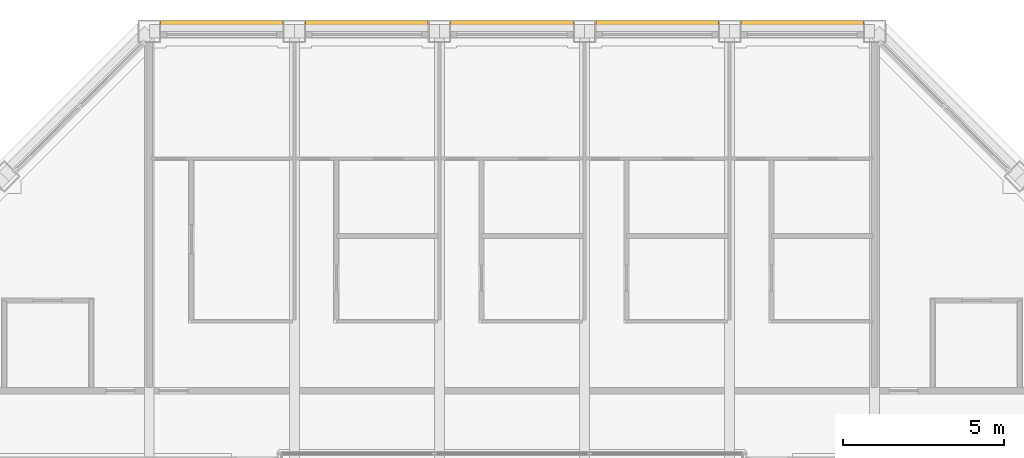
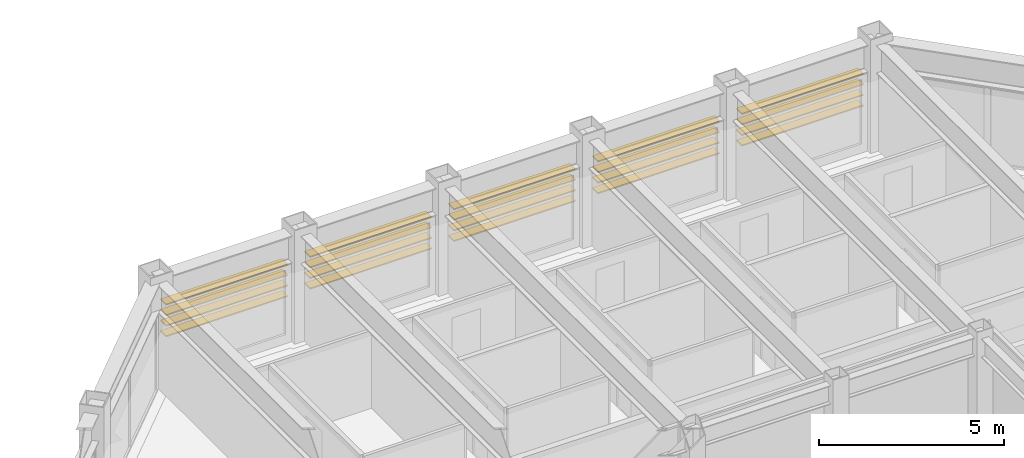
# One storey, part 17 of 17: 1 shading device.
"""IFC4 building model written with IfcOpenShell, lengths in metres."""

from ifc_helpers import new_model, si_unit, direction, frame, origin, origin_2d, place, context, subcontext, project, spatial, rectangle, extrude, material, type_object, element, save


model = new_model("IFC4")

# Units and contexts
model_context = context("Model", 3, precision=1e-05, world=origin(), true_north=direction((0.0, 1.0)))
body_context = subcontext(model_context, "Body", "Model", "MODEL_VIEW")
ifc_project = project(units=[si_unit("LENGTHUNIT", "METRE"), si_unit("AREAUNIT", "SQUARE_METRE"), si_unit("VOLUMEUNIT", "CUBIC_METRE"), si_unit("PLANEANGLEUNIT", "RADIAN"), si_unit("MASSUNIT", "GRAM", prefix="KILO")], contexts=[model_context])

# Site, building, storey
site_placement = place(None, origin())
site = spatial("IfcSite", under=ifc_project, at=site_placement, CompositionType="ELEMENT")
building_placement = place(site_placement, origin())
building = spatial("IfcBuilding", under=site, at=building_placement, Name="Msasa Ring Tower", CompositionType="ELEMENT")
storey_placement = place(building_placement, frame((0.0, 0.0, 253.300048828125)))
storey = spatial("IfcBuildingStorey", under=building, at=storey_placement, Name="L66", CompositionType="ELEMENT", Elevation=253.300048828125)

# Shading device
ifc_material = material(Name="Extruded terracotta blades", Category="masonry")
shading_device_type = type_object("IfcShadingDeviceType", Name="SS1 TERRACOTTA SUNSHADE 4 BLADES 300x40 AT 350", PredefinedType="USERDEFINED", material=ifc_material)
shading_device_placement = place(storey_placement, origin())
element("IfcShadingDevice", 1, at=shading_device_placement, inside=storey, type_object=shading_device_type, Name="Terracotta sunshade N L66", ObjectType="SUNSHADE", PredefinedType="USERDEFINED", context=body_context, shape_type="SweptSolid", body=[
    extrude(rectangle(XDim=0.0400390625, YDim=0.300048828125, at=origin_2d()), frame((-10.89990234375, 20.429931640625, 2.408935546875), z_axis=(1.0, 0.0, 0.0), x_axis=(0.0, 0.0, 1.0)), (0.0, 0.0, 1.0), 3.800048828125),
    extrude(rectangle(XDim=0.0400390625, YDim=0.300048828125, at=origin_2d()), frame((-10.89990234375, 20.429931640625, 2.058837890625), z_axis=(1.0, 0.0, 0.0), x_axis=(0.0, 0.0, 1.0)), (0.0, 0.0, 1.0), 3.800048828125),
    extrude(rectangle(XDim=0.0400390625, YDim=0.300048828125, at=origin_2d()), frame((-10.89990234375, 20.429931640625, 1.708984375), z_axis=(1.0, 0.0, 0.0), x_axis=(0.0, 0.0, 1.0)), (0.0, 0.0, 1.0), 3.800048828125),
    extrude(rectangle(XDim=0.0400390625, YDim=0.300048828125, at=origin_2d()), frame((-10.89990234375, 20.429931640625, 1.35888671875), z_axis=(1.0, 0.0, 0.0), x_axis=(0.0, 0.0, 1.0)), (0.0, 0.0, 1.0), 3.800048828125),
    extrude(rectangle(XDim=0.0400390625, YDim=0.300048828125, at=origin_2d()), frame((-6.39990234375, 20.429931640625, 2.408935546875), z_axis=(1.0, 0.0, 0.0), x_axis=(0.0, 0.0, 1.0)), (0.0, 0.0, 1.0), 3.800048828125),
    extrude(rectangle(XDim=0.0400390625, YDim=0.300048828125, at=origin_2d()), frame((-6.39990234375, 20.429931640625, 2.058837890625), z_axis=(1.0, 0.0, 0.0), x_axis=(0.0, 0.0, 1.0)), (0.0, 0.0, 1.0), 3.800048828125),
    extrude(rectangle(XDim=0.0400390625, YDim=0.300048828125, at=origin_2d()), frame((-6.39990234375, 20.429931640625, 1.708984375), z_axis=(1.0, 0.0, 0.0), x_axis=(0.0, 0.0, 1.0)), (0.0, 0.0, 1.0), 3.800048828125),
    extrude(rectangle(XDim=0.0400390625, YDim=0.300048828125, at=origin_2d()), frame((-6.39990234375, 20.429931640625, 1.35888671875), z_axis=(1.0, 0.0, 0.0), x_axis=(0.0, 0.0, 1.0)), (0.0, 0.0, 1.0), 3.800048828125),
    extrude(rectangle(XDim=0.0400390625, YDim=0.300048828125, at=origin_2d()), frame((-1.89990234375, 20.429931640625, 2.408935546875), z_axis=(1.0, 0.0, 0.0), x_axis=(0.0, 0.0, 1.0)), (0.0, 0.0, 1.0), 3.800048828125),
    extrude(rectangle(XDim=0.0400390625, YDim=0.300048828125, at=origin_2d()), frame((-1.89990234375, 20.429931640625, 2.058837890625), z_axis=(1.0, 0.0, 0.0), x_axis=(0.0, 0.0, 1.0)), (0.0, 0.0, 1.0), 3.800048828125),
    extrude(rectangle(XDim=0.0400390625, YDim=0.300048828125, at=origin_2d()), frame((-1.89990234375, 20.429931640625, 1.708984375), z_axis=(1.0, 0.0, 0.0), x_axis=(0.0, 0.0, 1.0)), (0.0, 0.0, 1.0), 3.800048828125),
    extrude(rectangle(XDim=0.0400390625, YDim=0.300048828125, at=origin_2d()), frame((-1.89990234375, 20.429931640625, 1.35888671875), z_axis=(1.0, 0.0, 0.0), x_axis=(0.0, 0.0, 1.0)), (0.0, 0.0, 1.0), 3.800048828125),
    extrude(rectangle(XDim=0.0400390625, YDim=0.300048828125, at=origin_2d()), frame((2.60009765625, 20.429931640625, 2.408935546875), z_axis=(1.0, 0.0, 0.0), x_axis=(0.0, 0.0, 1.0)), (0.0, 0.0, 1.0), 3.800048828125),
    extrude(rectangle(XDim=0.0400390625, YDim=0.300048828125, at=origin_2d()), frame((2.60009765625, 20.429931640625, 2.058837890625), z_axis=(1.0, 0.0, 0.0), x_axis=(0.0, 0.0, 1.0)), (0.0, 0.0, 1.0), 3.800048828125),
    extrude(rectangle(XDim=0.0400390625, YDim=0.300048828125, at=origin_2d()), frame((2.60009765625, 20.429931640625, 1.708984375), z_axis=(1.0, 0.0, 0.0), x_axis=(0.0, 0.0, 1.0)), (0.0, 0.0, 1.0), 3.800048828125),
    extrude(rectangle(XDim=0.0400390625, YDim=0.300048828125, at=origin_2d()), frame((2.60009765625, 20.429931640625, 1.35888671875), z_axis=(1.0, 0.0, 0.0), x_axis=(0.0, 0.0, 1.0)), (0.0, 0.0, 1.0), 3.800048828125),
    extrude(rectangle(XDim=0.0400390625, YDim=0.300048828125, at=origin_2d()), frame((7.10009765625, 20.429931640625, 2.408935546875), z_axis=(1.0, 0.0, 0.0), x_axis=(0.0, 0.0, 1.0)), (0.0, 0.0, 1.0), 3.800048828125),
    extrude(rectangle(XDim=0.0400390625, YDim=0.300048828125, at=origin_2d()), frame((7.10009765625, 20.429931640625, 2.058837890625), z_axis=(1.0, 0.0, 0.0), x_axis=(0.0, 0.0, 1.0)), (0.0, 0.0, 1.0), 3.800048828125),
    extrude(rectangle(XDim=0.0400390625, YDim=0.300048828125, at=origin_2d()), frame((7.10009765625, 20.429931640625, 1.708984375), z_axis=(1.0, 0.0, 0.0), x_axis=(0.0, 0.0, 1.0)), (0.0, 0.0, 1.0), 3.800048828125),
    extrude(rectangle(XDim=0.0400390625, YDim=0.300048828125, at=origin_2d()), frame((7.10009765625, 20.429931640625, 1.35888671875), z_axis=(1.0, 0.0, 0.0), x_axis=(0.0, 0.0, 1.0)), (0.0, 0.0, 1.0), 3.800048828125),
])

save(model, "model.ifc")
